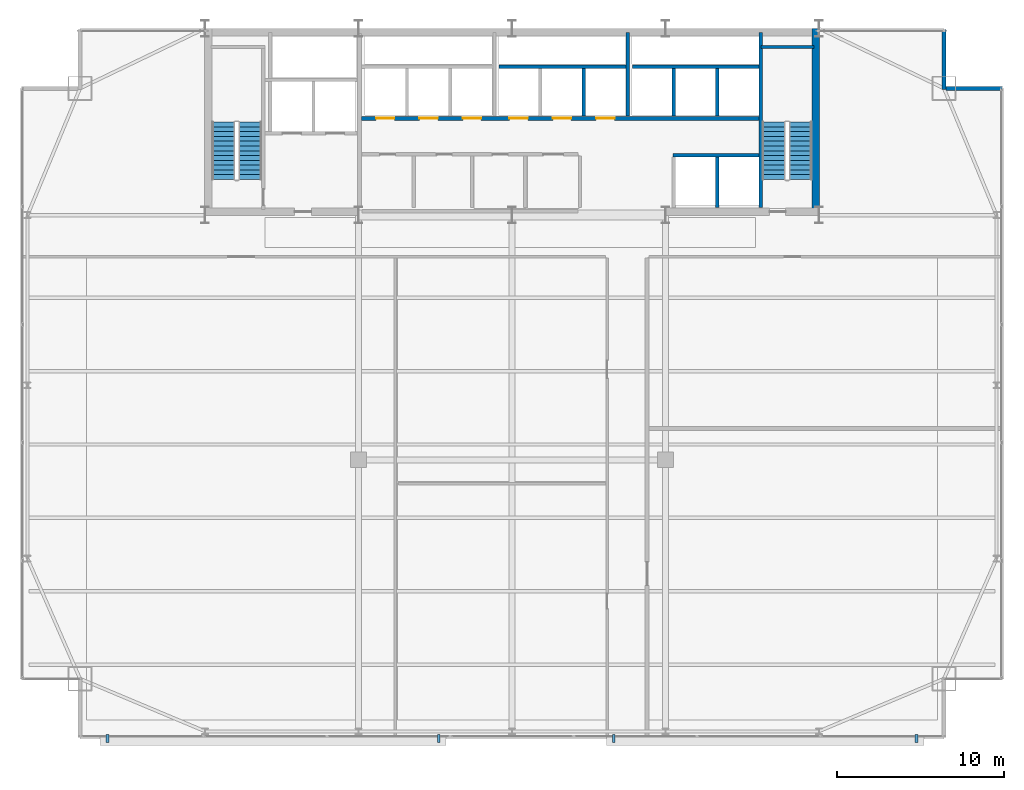
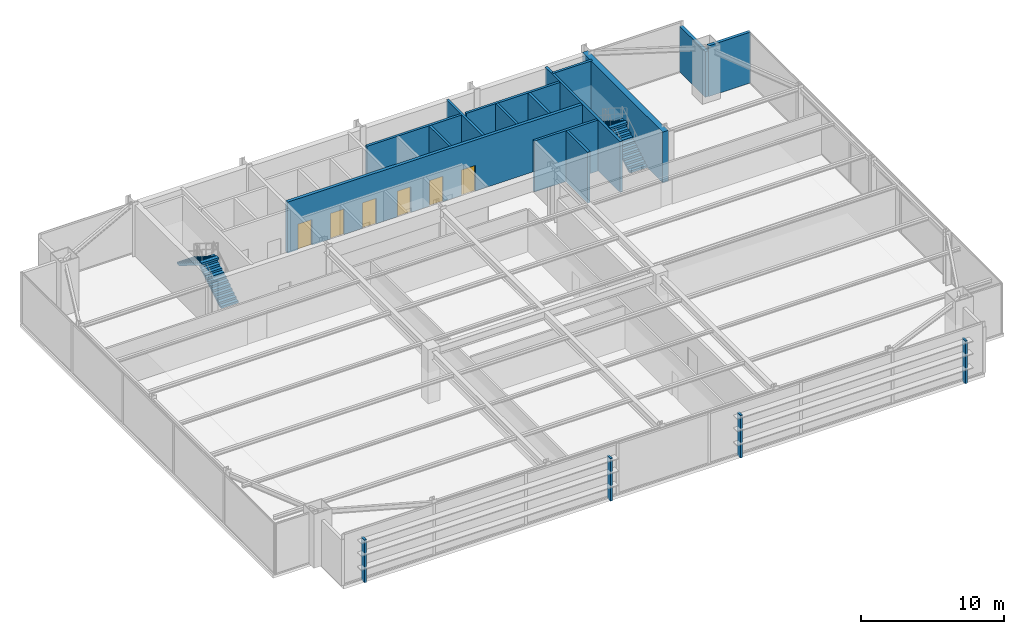
# One storey, part 30 of 32: 14 walls, 6 doors, 4 discrete accessories, 4 stair flights, 6 openings, 2 elements without a shape of their own.
"""IFC4 building model written with IfcOpenShell, lengths in metres."""

from ifc_helpers import new_model, si_unit, direction, frame, frame_2d, origin, origin_2d, place, context, subcontext, project, spatial, polyline, rectangle, outline, extrude, source, transform, mapped, material, layer, layer_set, type_object, type_shapes, element, fill, aggregate, save


model = new_model("IFC4")

# Units and contexts
model_context = context("Model", 3, precision=1e-05, world=origin(), true_north=direction((0.0, 1.0)))
body_context = subcontext(model_context, "Body", "Model", "MODEL_VIEW")
ifc_project = project(units=[si_unit("LENGTHUNIT", "METRE"), si_unit("AREAUNIT", "SQUARE_METRE"), si_unit("VOLUMEUNIT", "CUBIC_METRE"), si_unit("PLANEANGLEUNIT", "RADIAN"), si_unit("MASSUNIT", "GRAM", prefix="KILO")], contexts=[model_context])

# Site, building, storey
site_placement = place(None, origin())
site = spatial("IfcSite", under=ifc_project, at=site_placement, CompositionType="ELEMENT")
building_placement = place(site_placement, origin())
building = spatial("IfcBuilding", under=site, at=building_placement, Name="Varnel Quay Broadcast Tower", CompositionType="ELEMENT")
storey_placement = place(building_placement, frame((0.0, 0.0, 98.39990234375)))
storey = spatial("IfcBuildingStorey", under=building, at=storey_placement, Name="L23", CompositionType="ELEMENT", Elevation=98.39990234375)

# Walls
ifc_material_1 = material(Name="Concrete CSA A23.3 C50/60", Category="concrete")
ifc_layer_1 = layer(ifc_material_1, 0.199951171875, Name="Concrete CSA A23.3 C50/60")
ifc_layer_set_1 = layer_set([ifc_layer_1], Name="Concrete CSA A23.3 C50/60")
wall_type_1 = type_object("IfcWallType", Name="Wall_CoreShaftShear200", PredefinedType="SHEAR", material=ifc_layer_set_1)
wall_1_placement = place(storey_placement, frame((48.919921875, 36.050048828125, 0.0), z_axis=(0.0, 0.0, 1.0), x_axis=(0.0, 1.0, 0.0)))
element("IfcWall", 1, at=wall_1_placement, inside=storey, type_object=wall_type_1, Name="L23 Stair 2 West Structural Wall", PredefinedType="SHEAR", context=body_context, shape_type="SweptSolid", body=[
    extrude(rectangle(XDim=10.5, YDim=0.199951171875, at=frame_2d((5.25, 0.0))), origin(), (0.0, 0.0, 1.0), 4.35009765625),
])
wall_2_placement = place(storey_placement, frame((48.919921875, 45.679931640625, 0.0), z_axis=(0.0, 0.0, 1.0), x_axis=(1.0, 0.0, 0.0)))
element("IfcWall", 2, at=wall_2_placement, inside=storey, type_object=wall_type_1, Name="L23 Stair 2 North Structural Wall", PredefinedType="SHEAR", context=body_context, shape_type="SweptSolid", body=[
    extrude(rectangle(XDim=3.18017578125, YDim=0.199951171875, at=frame_2d((1.590087890625, 0.0))), origin(), (0.0, 0.0, 1.0), 4.35009765625),
])
wall_3_placement = place(storey_placement, frame((33.219970703125, 44.5, 0.0), z_axis=(0.0, 0.0, 1.0), x_axis=(1.0, 0.0, 0.0)))
element("IfcWall", 3, at=wall_3_placement, inside=storey, type_object=wall_type_1, Name="L23 Mid-Rise Lift Shaft Rear Wall", PredefinedType="SHEAR", context=body_context, shape_type="SweptSolid", body=[
    extrude(rectangle(XDim=7.630126953125, YDim=0.199951171875, at=frame_2d((3.81494140625, 0.0))), origin(), (0.0, 0.0, 1.0), 4.35009765625),
])
wall_4_placement = place(storey_placement, frame((38.300048828125, 41.530029296875, 0.0), z_axis=(0.0, 0.0, 1.0), x_axis=(0.0, 1.0, 0.0)))
element("IfcWall", 4, at=wall_4_placement, inside=storey, type_object=wall_type_1, Name="L23 Mid-Rise Lift Shaft Divider 3", PredefinedType="SHEAR", context=body_context, shape_type="SweptSolid", body=[
    extrude(rectangle(XDim=2.869873046875, YDim=0.199951171875, at=frame_2d((1.43505859375, 0.0))), origin(), (0.0, 0.0, 1.0), 4.35009765625),
])
wall_5_placement = place(storey_placement, frame((40.949951171875, 41.530029296875, 0.0), z_axis=(0.0, 0.0, 1.0), x_axis=(0.0, 1.0, 0.0)))
element("IfcWall", 5, at=wall_5_placement, inside=storey, type_object=wall_type_1, Name="L23 Mid-Rise Lift Shaft Divider 4", PredefinedType="SHEAR", context=body_context, shape_type="SweptSolid", body=[
    extrude(rectangle(XDim=5.02001953125, YDim=0.199951171875, at=frame_2d((2.510009765625, 0.0))), origin(), (0.0, 0.0, 1.0), 4.35009765625),
])
wall_6_placement = place(storey_placement, frame((41.219970703125, 44.5, 0.0), z_axis=(0.0, 0.0, 1.0), x_axis=(1.0, 0.0, 0.0)))
element("IfcWall", 6, at=wall_6_placement, inside=storey, type_object=wall_type_1, Name="L23 High-Rise Lift Shaft Rear Wall", PredefinedType="SHEAR", context=body_context, shape_type="SweptSolid", body=[
    extrude(rectangle(XDim=7.580078125, YDim=0.199951171875, at=frame_2d((3.7900390625, 0.0))), origin(), (0.0, 0.0, 1.0), 4.35009765625),
])
for number, where, z_axis, x_axis, name in (
    (7, (43.699951171875, 41.530029296875, 0.0), (0.0, 0.0, 1.0), (0.0, 1.0, 0.0), "L23 High-Rise Lift Shaft Divider 2"),
    (8, (46.300048828125, 41.530029296875, 0.0), (0.0, 0.0, 1.0), (0.0, 1.0, 0.0), "L23 High-Rise Lift Shaft Divider 3"),
):
    element("IfcWall", number, at=place(storey_placement, frame(where, z_axis=z_axis, x_axis=x_axis)), inside=storey, type_object=wall_type_1, Name=name, PredefinedType="SHEAR", context=body_context, shape_type="SweptSolid", body=[
        extrude(rectangle(XDim=2.869873046875, YDim=0.199951171875, at=frame_2d((1.43505859375, 0.0))), origin(), (0.0, 0.0, 1.0), 4.35009765625),
    ])
wall_7_placement = place(storey_placement, frame((46.300048828125, 36.050048828125, 0.0), z_axis=(0.0, 0.0, 1.0), x_axis=(0.0, 1.0, 0.0)))
element("IfcWall", 9, at=wall_7_placement, inside=storey, type_object=wall_type_1, Name="L23 Express Lift Shaft Divider", PredefinedType="SHEAR", context=body_context, shape_type="SweptSolid", body=[
    extrude(rectangle(XDim=3.050048828125, YDim=0.199951171875, at=frame_2d((1.52490234375, 0.0))), origin(), (0.0, 0.0, 1.0), 4.35009765625),
])
wall_8_placement = place(storey_placement, frame((43.64990234375, 39.199951171875, 0.0), z_axis=(0.0, 0.0, 1.0), x_axis=(1.0, 0.0, 0.0)))
element("IfcWall", 10, at=wall_8_placement, inside=storey, type_object=wall_type_1, Name="L23 Express Lift Shaft North Front Wall", PredefinedType="SHEAR", context=body_context, shape_type="SweptSolid", body=[
    extrude(rectangle(XDim=5.150146484375, YDim=0.199951171875, at=frame_2d((2.5751953125, 0.0))), origin(), (0.0, 0.0, 1.0), 4.35009765625),
])

# Wall, openings, doors
ifc_layer_2 = layer(ifc_material_1, 0.25, Name="Concrete CSA A23.3 C50/60")
ifc_layer_set_2 = layer_set([ifc_layer_2], Name="Concrete CSA A23.3 C50/60")
wall_type_2 = type_object("IfcWallType", Name="Wall_CoreShaftShear250", PredefinedType="SHEAR", material=ifc_layer_set_2)
wall_9_placement = place(storey_placement, frame((24.97998046875, 41.39990234375, 0.0), z_axis=(0.0, 0.0, 1.0), x_axis=(1.0, 0.0, 0.0)))
wall_9 = element("IfcWall", 11, at=wall_9_placement, inside=storey, type_object=wall_type_2, Name="L23 North Lift Bank & Reclaimed Suite Wall", PredefinedType="SHEAR", context=body_context, shape_type="SweptSolid", body=[
    extrude(rectangle(XDim=23.820068359375, YDim=0.25, at=frame_2d((11.91015625, 0.0))), origin(), (0.0, 0.0, 1.0), 4.35009765625),
])
opening_1_placement = place(wall_9_placement, frame((0.8701171875, 0.0, 0.0)))
opening_1 = element("IfcOpeningElement", 12, at=opening_1_placement, cuts=wall_9, Name="Opening LD-L23-PL-01", PredefinedType="OPENING", context=body_context, shape_type="SweptSolid", body=[
    extrude(rectangle(XDim=1.10009765625, YDim=2.179931640625, at=frame_2d((0.550048828125, 1.08984375))), frame((0.0, 0.135009765625, 0.0), z_axis=(0.0, -1.0, 0.0), x_axis=(1.0, 0.0, 0.0)), (0.0, 0.0, 1.0), 0.27001953125),
])
opening_2_placement = place(wall_9_placement, frame((3.469970703125, 0.0, 0.0)))
opening_2 = element("IfcOpeningElement", 13, at=opening_2_placement, cuts=wall_9, Name="Opening LD-L23-PL-02", PredefinedType="OPENING", context=body_context, shape_type="SweptSolid", body=[
    extrude(rectangle(XDim=1.10009765625, YDim=2.179931640625, at=frame_2d((0.550048828125, 1.08984375))), frame((0.0, 0.135009765625, 0.0), z_axis=(0.0, -1.0, 0.0), x_axis=(1.0, 0.0, 0.0)), (0.0, 0.0, 1.0), 0.27001953125),
])
opening_3_placement = place(wall_9_placement, frame((6.070068359375, 0.0, 0.0)))
opening_3 = element("IfcOpeningElement", 14, at=opening_3_placement, cuts=wall_9, Name="Opening LD-L23-PL-03", PredefinedType="OPENING", context=body_context, shape_type="SweptSolid", body=[
    extrude(rectangle(XDim=1.10009765625, YDim=2.179931640625, at=frame_2d((0.550048828125, 1.08984375))), frame((0.0, 0.135009765625, 0.0), z_axis=(0.0, -1.0, 0.0), x_axis=(1.0, 0.0, 0.0)), (0.0, 0.0, 1.0), 0.27001953125),
])
opening_4_placement = place(wall_9_placement, frame((8.8701171875, 0.0, 0.0)))
opening_4 = element("IfcOpeningElement", 15, at=opening_4_placement, cuts=wall_9, Name="Opening LD-L23-PM-01", PredefinedType="OPENING", context=body_context, shape_type="SweptSolid", body=[
    extrude(rectangle(XDim=1.10009765625, YDim=2.179931640625, at=frame_2d((0.550048828125, 1.08984375))), frame((0.0, 0.135009765625, 0.0), z_axis=(0.0, -1.0, 0.0), x_axis=(1.0, 0.0, 0.0)), (0.0, 0.0, 1.0), 0.27001953125),
])
opening_5_placement = place(wall_9_placement, frame((11.469970703125, 0.0, 0.0)))
opening_5 = element("IfcOpeningElement", 16, at=opening_5_placement, cuts=wall_9, Name="Opening LD-L23-PM-02", PredefinedType="OPENING", context=body_context, shape_type="SweptSolid", body=[
    extrude(rectangle(XDim=1.10009765625, YDim=2.179931640625, at=frame_2d((0.550048828125, 1.08984375))), frame((0.0, 0.135009765625, 0.0), z_axis=(0.0, -1.0, 0.0), x_axis=(1.0, 0.0, 0.0)), (0.0, 0.0, 1.0), 0.27001953125),
])
opening_6_placement = place(wall_9_placement, frame((14.070068359375, 0.0, 0.0)))
opening_6 = element("IfcOpeningElement", 17, at=opening_6_placement, cuts=wall_9, Name="Opening LD-L23-PM-03", PredefinedType="OPENING", context=body_context, shape_type="SweptSolid", body=[
    extrude(rectangle(XDim=1.10009765625, YDim=2.179931640625, at=frame_2d((0.550048828125, 1.08984375))), frame((0.0, 0.135009765625, 0.0), z_axis=(0.0, -1.0, 0.0), x_axis=(1.0, 0.0, 0.0)), (0.0, 0.0, 1.0), 0.27001953125),
])
ifc_material_2 = material(Name="Brushed Bronze-Stainless Lift Car & Sliding Doors", Category="steel")
door_type = type_object("IfcDoorType", Name="Door_LiftLanding1100", OperationType="SLIDING_TO_LEFT", PredefinedType="DOOR", material=ifc_material_2)
shared_shape_1 = source(origin(), body_context, "Body", "SweptSolid", [
    extrude(rectangle(XDim=1.10009765625, YDim=2.179931640625, at=frame_2d((0.550048828125, 1.08984375))), frame((0.0, 0.02490234375, 0.0), z_axis=(0.0, -1.0, 0.0), x_axis=(1.0, 0.0, 0.0)), (0.0, 0.0, 1.0), 0.050048828125),
])
type_shapes(door_type, [shared_shape_1])
door_1_placement = place(opening_1_placement, frame((1.10009765625, 0.0, 0.0), z_axis=(0.0, 0.0, 1.0), x_axis=(-1.0, 0.0, 0.0)))
door_1 = element("IfcDoor", 18, at=door_1_placement, inside=storey, type_object=door_type, Name="L23 Lift PL-01 Landing Door", OperationType="SLIDING_TO_LEFT", OverallHeight=2.179931640625, OverallWidth=1.10009765625, PredefinedType="DOOR", context=body_context, shape_type="MappedRepresentation", body=[
    mapped(shared_shape_1, transform((0.0, 0.0, 0.0), x_axis=(1.0, 0.0, 0.0), y_axis=(0.0, 1.0, 0.0), z_axis=(0.0, 0.0, 1.0), scale=1.0)),
])
fill(opening_1, door_1)
door_2_placement = place(opening_2_placement, frame((1.10009765625, 0.0, 0.0), z_axis=(0.0, 0.0, 1.0), x_axis=(-1.0, 0.0, 0.0)))
door_2 = element("IfcDoor", 19, at=door_2_placement, inside=storey, type_object=door_type, Name="L23 Lift PL-02 Landing Door", OperationType="SLIDING_TO_LEFT", OverallHeight=2.179931640625, OverallWidth=1.10009765625, PredefinedType="DOOR", context=body_context, shape_type="MappedRepresentation", body=[
    mapped(shared_shape_1, transform((0.0, 0.0, 0.0), x_axis=(1.0, 0.0, 0.0), y_axis=(0.0, 1.0, 0.0), z_axis=(0.0, 0.0, 1.0), scale=1.0)),
])
fill(opening_2, door_2)
door_3_placement = place(opening_3_placement, frame((1.10009765625, 0.0, 0.0), z_axis=(0.0, 0.0, 1.0), x_axis=(-1.0, 0.0, 0.0)))
door_3 = element("IfcDoor", 20, at=door_3_placement, inside=storey, type_object=door_type, Name="L23 Lift PL-03 Landing Door", OperationType="SLIDING_TO_LEFT", OverallHeight=2.179931640625, OverallWidth=1.10009765625, PredefinedType="DOOR", context=body_context, shape_type="MappedRepresentation", body=[
    mapped(shared_shape_1, transform((0.0, 0.0, 0.0), x_axis=(1.0, 0.0, 0.0), y_axis=(0.0, 1.0, 0.0), z_axis=(0.0, 0.0, 1.0), scale=1.0)),
])
fill(opening_3, door_3)
door_4_placement = place(opening_4_placement, frame((1.10009765625, 0.0, 0.0), z_axis=(0.0, 0.0, 1.0), x_axis=(-1.0, 0.0, 0.0)))
door_4 = element("IfcDoor", 21, at=door_4_placement, inside=storey, type_object=door_type, Name="L23 Lift PM-01 Landing Door", OperationType="SLIDING_TO_LEFT", OverallHeight=2.179931640625, OverallWidth=1.10009765625, PredefinedType="DOOR", context=body_context, shape_type="MappedRepresentation", body=[
    mapped(shared_shape_1, transform((0.0, 0.0, 0.0), x_axis=(1.0, 0.0, 0.0), y_axis=(0.0, 1.0, 0.0), z_axis=(0.0, 0.0, 1.0), scale=1.0)),
])
fill(opening_4, door_4)
door_5_placement = place(opening_5_placement, frame((1.10009765625, 0.0, 0.0), z_axis=(0.0, 0.0, 1.0), x_axis=(-1.0, 0.0, 0.0)))
door_5 = element("IfcDoor", 22, at=door_5_placement, inside=storey, type_object=door_type, Name="L23 Lift PM-02 Landing Door", OperationType="SLIDING_TO_LEFT", OverallHeight=2.179931640625, OverallWidth=1.10009765625, PredefinedType="DOOR", context=body_context, shape_type="MappedRepresentation", body=[
    mapped(shared_shape_1, transform((0.0, 0.0, 0.0), x_axis=(1.0, 0.0, 0.0), y_axis=(0.0, 1.0, 0.0), z_axis=(0.0, 0.0, 1.0), scale=1.0)),
])
fill(opening_5, door_5)
door_6_placement = place(opening_6_placement, frame((1.10009765625, 0.0, 0.0), z_axis=(0.0, 0.0, 1.0), x_axis=(-1.0, 0.0, 0.0)))
door_6 = element("IfcDoor", 23, at=door_6_placement, inside=storey, type_object=door_type, Name="L23 Lift PM-03 Landing Door", OperationType="SLIDING_TO_LEFT", OverallHeight=2.179931640625, OverallWidth=1.10009765625, PredefinedType="DOOR", context=body_context, shape_type="MappedRepresentation", body=[
    mapped(shared_shape_1, transform((0.0, 0.0, 0.0), x_axis=(1.0, 0.0, 0.0), y_axis=(0.0, 1.0, 0.0), z_axis=(0.0, 0.0, 1.0), scale=1.0)),
])
fill(opening_6, door_6)

# Walls
ifc_material_3 = material(Name="Concrete CSA A23.3 C60/75", Category="concrete")
ifc_layer_3 = layer(ifc_material_3, 0.449951171875, Name="Concrete CSA A23.3 C60/75")
ifc_layer_set_3 = layer_set([ifc_layer_3], Name="Concrete CSA A23.3 C60/75")
wall_type_3 = type_object("IfcWallType", Name="Wall_CoreShearInt450", PredefinedType="SHEAR", material=ifc_layer_set_3)
wall_10_placement = place(storey_placement, frame((52.205078125, 35.570068359375, 0.0), z_axis=(0.0, 0.0, 1.0), x_axis=(0.0, 1.0, 0.0)))
element("IfcWall", 24, at=wall_10_placement, inside=storey, type_object=wall_type_3, Name="L23 East Core Shear Wall", PredefinedType="SHEAR", context=body_context, shape_type="SweptSolid", body=[
    extrude(rectangle(XDim=11.22998046875, YDim=0.449951171875, at=frame_2d((5.614990234375, 0.0))), origin(), (0.0, 0.0, 1.0), 4.35009765625),
])
ifc_material_4 = material(Name="Precast Architectural Concrete C40/50", Category="concrete")
ifc_layer_4 = layer(ifc_material_4, 0.25, Name="Precast Architectural Concrete C40/50")
ifc_layer_set_4 = layer_set([ifc_layer_4], Name="Precast Architectural Concrete C40/50")
wall_type_4 = type_object("IfcWallType", Name="Wall_ExtTerrace250", PredefinedType="SOLIDWALL", material=ifc_layer_set_4)
wall_11_placement = place(storey_placement, frame((60.030029296875, 43.199951171875, 0.0), z_axis=(0.0, 0.0, 1.0), x_axis=(1.0, 0.0, 0.0)))
element("IfcWall", 25, at=wall_11_placement, inside=storey, type_object=wall_type_4, Name="L23 Mega-Column Notch Cladding Wall NNE1", PredefinedType="SOLIDWALL", context=body_context, shape_type="SweptSolid", body=[
    extrude(rectangle(XDim=3.389892578125, YDim=0.25, at=frame_2d((1.69482421875, 0.0))), origin(), (0.0, 0.0, 1.0), 4.330078125),
])
wall_12_placement = place(storey_placement, frame((59.89990234375, 43.1201171875, 0.0), z_axis=(0.0, 0.0, 1.0), x_axis=(0.0, 1.0, 0.0)))
element("IfcWall", 26, at=wall_12_placement, inside=storey, type_object=wall_type_4, Name="L23 Mega-Column Notch Cladding Wall NNE2", PredefinedType="SOLIDWALL", context=body_context, shape_type="SweptSolid", body=[
    extrude(rectangle(XDim=3.599853515625, YDim=0.25, at=frame_2d((1.7998046875, 0.0))), origin(), (0.0, 0.0, 1.0), 3.908203125),
])

# Stair, stair flights
ifc_material_5 = material(Name="Precast Structural Concrete C40/50", Category="concrete")
stair_type_1 = type_object("IfcStairType", Name="Stair_ST-01", PredefinedType="HALF_TURN_STAIR", material=ifc_material_5)
stair_1_placement = place(storey_placement, origin())
stair_1 = element("IfcStair", 27, at=stair_1_placement, inside=storey, type_object=stair_type_1, Name="L23 West Core Exit Stair 1", PredefinedType="HALF_TURN_STAIR")
stair_flight_type_1 = type_object("IfcStairFlightType", Name="Flight_ST-01", PredefinedType="STRAIGHT", material=ifc_material_5)
stair_flight_1_placement = place(storey_placement, frame((18.300048828125, 37.75, 0.0), z_axis=(0.0, 0.0, 1.0), x_axis=(0.0, 1.0, 0.0)))
stair_flight_1 = element("IfcStairFlight", 28, at=stair_flight_1_placement, type_object=stair_flight_type_1, Name="ST-01 flight 1", NumberOfRisers=13, NumberOfTreads=12, PredefinedType="STRAIGHT", RiserHeight=0.176923077, TreadLength=0.285, context=body_context, shape_type="SweptSolid", body=[
    extrude(outline(polyline([(0.0, 0.0), (0.0, 0.177001953125), (0.284912109375, 0.177001953125), (0.284912109375, 0.353759765625), (0.570068359375, 0.353759765625), (0.570068359375, 0.53076171875), (0.85498046875, 0.53076171875), (0.85498046875, 0.707763671875), (1.139892578125, 0.707763671875), (1.139892578125, 0.884521484375), (1.425048828125, 0.884521484375), (1.425048828125, 1.0615234375), (1.7099609375, 1.0615234375), (1.7099609375, 1.238525390625), (1.9951171875, 1.238525390625), (1.9951171875, 1.415283203125), (2.280029296875, 1.415283203125), (2.280029296875, 1.59228515625), (2.56494140625, 1.59228515625), (2.56494140625, 1.769287109375), (2.85009765625, 1.769287109375), (2.85009765625, 1.946044921875), (3.135009765625, 1.946044921875), (3.135009765625, 2.123046875), (3.419921875, 2.123046875), (3.419921875, 2.300048828125), (3.419921875, 1.946533203125), (0.2841796875, 0.0), (0.0, 0.0)])), frame((0.0, 0.699951171875, 0.0), z_axis=(0.0, -1.0, 0.0), x_axis=(1.0, 0.0, 0.0)), (0.0, 0.0, 1.0), 1.39990234375),
])
stair_flight_2_placement = place(storey_placement, frame((16.699951171875, 41.169921875, 2.300048828125), z_axis=(0.0, 0.0, 1.0), x_axis=(0.0, -1.0, 0.0)))
stair_flight_2 = element("IfcStairFlight", 29, at=stair_flight_2_placement, type_object=stair_flight_type_1, Name="ST-01 flight 2", NumberOfRisers=13, NumberOfTreads=12, PredefinedType="STRAIGHT", RiserHeight=0.176923077, TreadLength=0.285, context=body_context, shape_type="SweptSolid", body=[
    extrude(outline(polyline([(0.0, 0.0), (0.0, 0.177001953125), (0.284912109375, 0.177001953125), (0.284912109375, 0.353759765625), (0.570068359375, 0.353759765625), (0.570068359375, 0.53076171875), (0.85498046875, 0.53076171875), (0.85498046875, 0.707763671875), (1.139892578125, 0.707763671875), (1.139892578125, 0.884521484375), (1.425048828125, 0.884521484375), (1.425048828125, 1.0615234375), (1.7099609375, 1.0615234375), (1.7099609375, 1.238525390625), (1.9951171875, 1.238525390625), (1.9951171875, 1.415283203125), (2.280029296875, 1.415283203125), (2.280029296875, 1.59228515625), (2.56494140625, 1.59228515625), (2.56494140625, 1.769287109375), (2.85009765625, 1.769287109375), (2.85009765625, 1.946044921875), (3.135009765625, 1.946044921875), (3.135009765625, 2.123046875), (3.419921875, 2.123046875), (3.419921875, 2.300048828125), (3.419921875, 1.946533203125), (0.2841796875, 0.0), (0.0, 0.0)])), frame((0.0, 0.699951171875, 0.0), z_axis=(0.0, -1.0, 0.0), x_axis=(1.0, 0.0, 0.0)), (0.0, 0.0, 1.0), 1.39990234375),
])
aggregate(stair_1, [stair_flight_1, stair_flight_2])

stair_type_2 = type_object("IfcStairType", Name="Stair_ST-02", PredefinedType="HALF_TURN_STAIR", material=ifc_material_5)
stair_2_placement = place(storey_placement, origin())
stair_2 = element("IfcStair", 30, at=stair_2_placement, inside=storey, type_object=stair_type_2, Name="L23 East Core Exit Stair 2", PredefinedType="HALF_TURN_STAIR")
stair_flight_type_2 = type_object("IfcStairFlightType", Name="Flight_ST-02", PredefinedType="STRAIGHT", material=ifc_material_5)
stair_flight_3_placement = place(storey_placement, frame((51.300048828125, 37.75, 0.0), z_axis=(0.0, 0.0, 1.0), x_axis=(0.0, 1.0, 0.0)))
stair_flight_3 = element("IfcStairFlight", 31, at=stair_flight_3_placement, type_object=stair_flight_type_2, Name="ST-02 flight 1", NumberOfRisers=13, NumberOfTreads=12, PredefinedType="STRAIGHT", RiserHeight=0.176923077, TreadLength=0.285, context=body_context, shape_type="SweptSolid", body=[
    extrude(outline(polyline([(0.0, 0.0), (0.0, 0.177001953125), (0.284912109375, 0.177001953125), (0.284912109375, 0.353759765625), (0.570068359375, 0.353759765625), (0.570068359375, 0.53076171875), (0.85498046875, 0.53076171875), (0.85498046875, 0.707763671875), (1.139892578125, 0.707763671875), (1.139892578125, 0.884521484375), (1.425048828125, 0.884521484375), (1.425048828125, 1.0615234375), (1.7099609375, 1.0615234375), (1.7099609375, 1.238525390625), (1.9951171875, 1.238525390625), (1.9951171875, 1.415283203125), (2.280029296875, 1.415283203125), (2.280029296875, 1.59228515625), (2.56494140625, 1.59228515625), (2.56494140625, 1.769287109375), (2.85009765625, 1.769287109375), (2.85009765625, 1.946044921875), (3.135009765625, 1.946044921875), (3.135009765625, 2.123046875), (3.419921875, 2.123046875), (3.419921875, 2.300048828125), (3.419921875, 1.946533203125), (0.2841796875, 0.0), (0.0, 0.0)])), frame((0.0, 0.699951171875, 0.0), z_axis=(0.0, -1.0, 0.0), x_axis=(1.0, 0.0, 0.0)), (0.0, 0.0, 1.0), 1.39990234375),
])
stair_flight_4_placement = place(storey_placement, frame((49.699951171875, 41.169921875, 2.300048828125), z_axis=(0.0, 0.0, 1.0), x_axis=(0.0, -1.0, 0.0)))
stair_flight_4 = element("IfcStairFlight", 32, at=stair_flight_4_placement, type_object=stair_flight_type_2, Name="ST-02 flight 2", NumberOfRisers=13, NumberOfTreads=12, PredefinedType="STRAIGHT", RiserHeight=0.176923077, TreadLength=0.285, context=body_context, shape_type="SweptSolid", body=[
    extrude(outline(polyline([(0.0, 0.0), (0.0, 0.177001953125), (0.284912109375, 0.177001953125), (0.284912109375, 0.353759765625), (0.570068359375, 0.353759765625), (0.570068359375, 0.53076171875), (0.85498046875, 0.53076171875), (0.85498046875, 0.707763671875), (1.139892578125, 0.707763671875), (1.139892578125, 0.884521484375), (1.425048828125, 0.884521484375), (1.425048828125, 1.0615234375), (1.7099609375, 1.0615234375), (1.7099609375, 1.238525390625), (1.9951171875, 1.238525390625), (1.9951171875, 1.415283203125), (2.280029296875, 1.415283203125), (2.280029296875, 1.59228515625), (2.56494140625, 1.59228515625), (2.56494140625, 1.769287109375), (2.85009765625, 1.769287109375), (2.85009765625, 1.946044921875), (3.135009765625, 1.946044921875), (3.135009765625, 2.123046875), (3.419921875, 2.123046875), (3.419921875, 2.300048828125), (3.419921875, 1.946533203125), (0.2841796875, 0.0), (0.0, 0.0)])), frame((0.0, 0.699951171875, 0.0), z_axis=(0.0, -1.0, 0.0), x_axis=(1.0, 0.0, 0.0)), (0.0, 0.0, 1.0), 1.39990234375),
])
aggregate(stair_2, [stair_flight_3, stair_flight_4])

# Discrete accessories
ifc_material_6 = material(Name="Anodised Bronze Aluminium 6063-T6", Category="aluminium")
ifc_layer_5 = layer(ifc_material_6, 0.47998046875, Name="Anodised Bronze Aluminium 6063-T6")
ifc_layer_set_5 = layer_set([ifc_layer_5], Name="Anodised Bronze Aluminium 6063-T6")
discrete_accessory_type = type_object("IfcDiscreteAccessoryType", Name="Acc_FacadeBracket", PredefinedType="BRACKET", material=ifc_layer_set_5)
shared_shape_2 = source(origin(), body_context, "Body", "SweptSolid", [
    extrude(rectangle(XDim=0.159912109375, YDim=0.47998046875, at=origin_2d()), origin(), (0.0, 0.0, 1.0), 3.64990234375),
])
type_shapes(discrete_accessory_type, [shared_shape_2])
for number, where, z_axis, x_axis, name in (
    (33, (9.75, 4.219970703125, -0.14990234375), (0.0, 0.0, 1.0), (1.0, 0.0, 0.0), "L23 Lobe 1 Louvre Support Bracket 1"),
    (34, (29.60595703125, 4.219970703125, -0.14990234375), (0.0, 0.0, 1.0), (1.0, 0.0, 0.0), "L23 Lobe 1 Louvre Support Bracket 2"),
    (35, (40.10595703125, 4.219970703125, -0.14990234375), (0.0, 0.0, 1.0), (1.0, 0.0, 0.0), "L23 Lobe 2 Louvre Support Bracket 1"),
    (36, (58.25, 4.219970703125, -0.14990234375), (0.0, 0.0, 1.0), (1.0, 0.0, 0.0), "L23 Lobe 2 Louvre Support Bracket 2"),
):
    element("IfcDiscreteAccessory", number, at=place(storey_placement, frame(where, z_axis=z_axis, x_axis=x_axis)), inside=storey, type_object=discrete_accessory_type, Name=name, PredefinedType="BRACKET", context=body_context, shape_type="MappedRepresentation", body=[
        mapped(shared_shape_2, transform((0.0, 0.0, 0.0), x_axis=(1.0, 0.0, 0.0), y_axis=(0.0, 1.0, 0.0), z_axis=(0.0, 0.0, 1.0), scale=1.0)),
    ])

save(model, "model.ifc")
